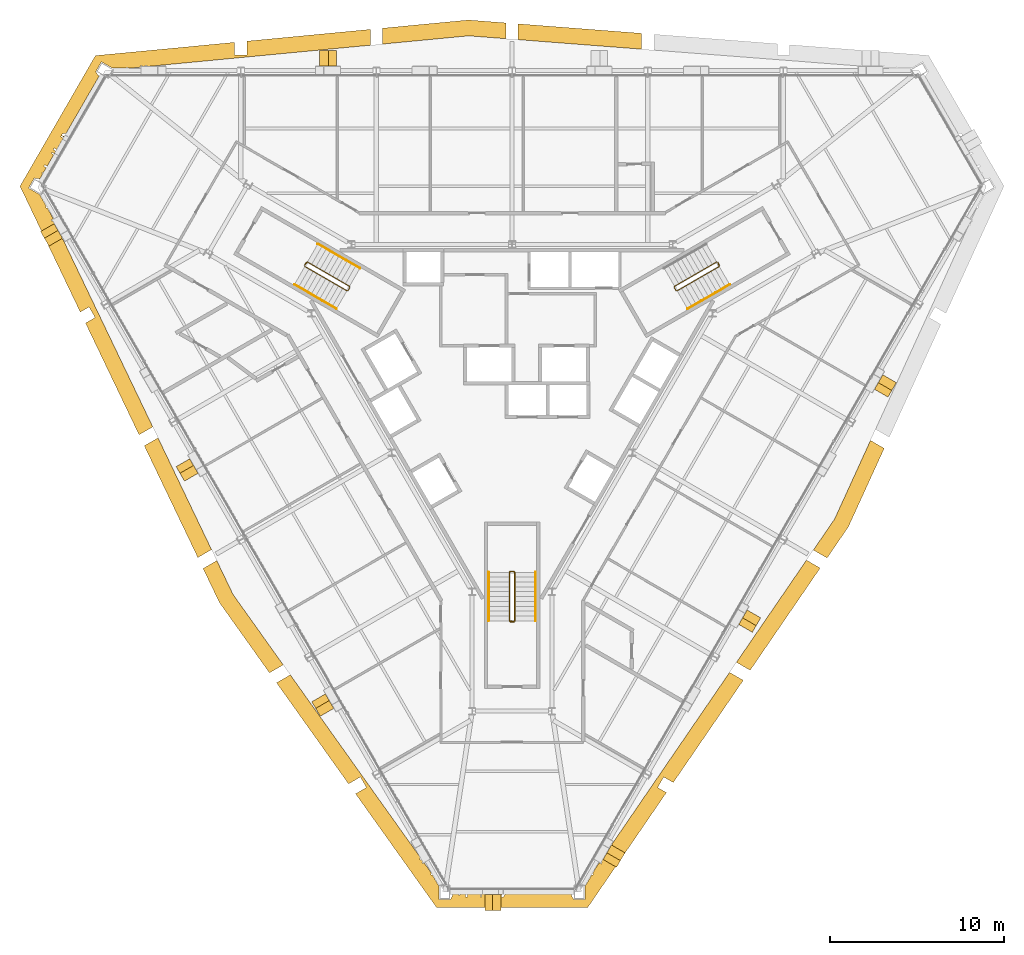
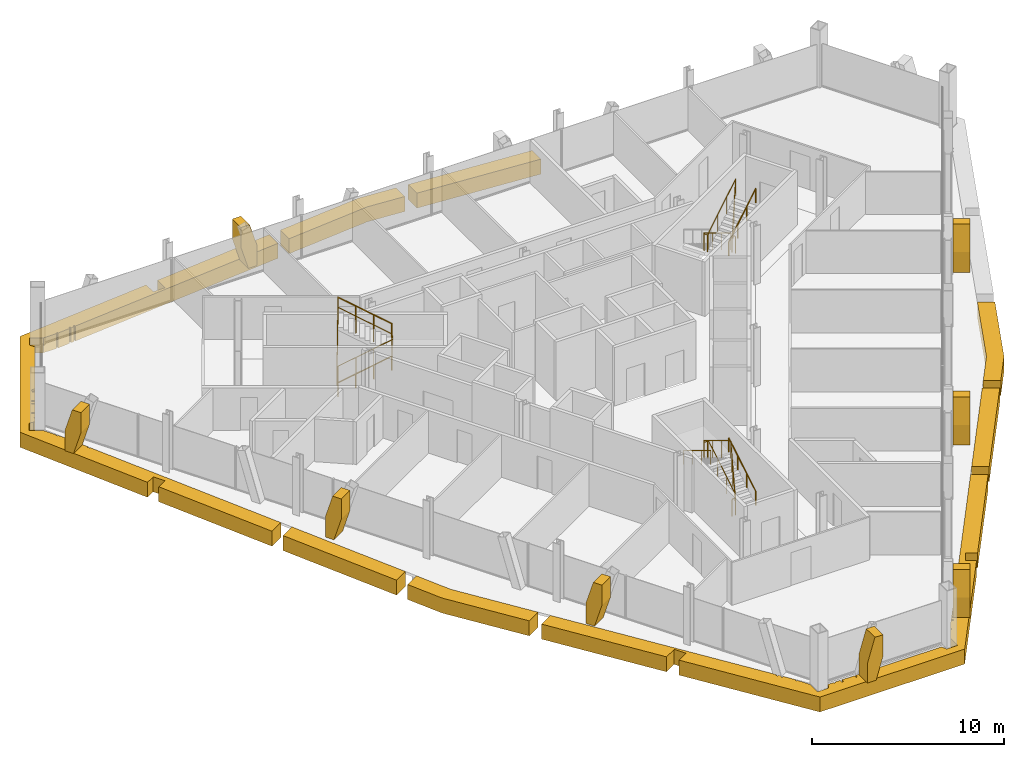
# One storey, part 16 of 17: 16 coverings, 8 railings.
"""IFC4 building model written with IfcOpenShell, lengths in metres."""

from ifc_helpers import new_model, si_unit, direction, frame, origin, origin_2d, place, context, subcontext, project, spatial, polyline, circle, outline, extrude, material, layer, layer_set, type_object, element, save


model = new_model("IFC4")

# Units and contexts
model_context = context("Model", 3, precision=1e-05, world=origin(), true_north=direction((0.0, 1.0)))
body_context = subcontext(model_context, "Body", "Model", "MODEL_VIEW")
ifc_project = project(units=[si_unit("LENGTHUNIT", "METRE"), si_unit("AREAUNIT", "SQUARE_METRE"), si_unit("VOLUMEUNIT", "CUBIC_METRE"), si_unit("PLANEANGLEUNIT", "RADIAN"), si_unit("MASSUNIT", "GRAM", prefix="KILO")], contexts=[model_context])

# Site, building, storey
site_placement = place(None, origin())
site = spatial("IfcSite", under=ifc_project, at=site_placement, CompositionType="ELEMENT")
building_placement = place(site_placement, origin())
building = spatial("IfcBuilding", under=site, at=building_placement, Name="Verrane Prism Tower", CompositionType="ELEMENT")
storey_placement = place(building_placement, frame((0.0, 0.0, 182.10009765625)))
storey = spatial("IfcBuildingStorey", under=building, at=storey_placement, Name="L45", CompositionType="ELEMENT", Elevation=182.10009765625)

# Railings
ifc_material_1 = material(Name="Steel A36 rail and posts, no infill", Category="steel")
railing_type_1 = type_object("IfcRailingType", Name="Stair guard 1100 steel rail and posts", PredefinedType="GUARDRAIL", material=ifc_material_1)
railing_1_placement = place(storey_placement, frame((11.78955078125, 6.97998046875, 0.16796875)))
element("IfcRailing", 1, at=railing_1_placement, inside=storey, type_object=railing_type_1, Name="Stair 1 guard", PredefinedType="GUARDRAIL", context=body_context, shape_type="SweptSolid", body=[
    extrude(circle(Radius=0.02392578125, at=origin_2d()), frame((0.0, 0.0, 1.076171875), z_axis=(-0.742366697286, -0.42866220388, 0.514917859203), x_axis=(0.500049511043, -0.865996816683, 0.0)), (0.0, 0.0, 1.0), 3.266357421875),
    extrude(circle(Radius=0.02392578125, at=origin_2d()), frame((-2.4248046875, -1.400146484375, 2.7578125), z_axis=(-0.259601060869, -0.965715946433, 0.0), x_axis=(0.965715946433, -0.259601060869, 0.0)), (0.0, 0.0, 1.0), 0.070556640625),
    extrude(circle(Radius=0.02392578125, at=origin_2d()), frame((-2.443115234375, -1.46826171875, 2.7578125), z_axis=(0.499158860599, -0.866510491504, 0.0), x_axis=(0.866510491504, 0.499158860599, 0.0)), (0.0, 0.0, 1.0), 0.199951171875),
    extrude(circle(Radius=0.02392578125, at=origin_2d()), frame((-2.34326171875, -1.6416015625, 2.7578125), z_axis=(0.374585375571, -0.100335368456, 0.921747584887), x_axis=(0.258736085224, 0.965948051503, 0.0)), (0.0, 0.0, 1.0), 0.182373046875),
    extrude(circle(Radius=0.02392578125, at=origin_2d()), frame((-2.27490234375, -1.659912109375, 2.92626953125), z_axis=(0.742366697286, 0.42866220388, 0.514917859203), x_axis=(-0.500049511043, 0.865996816683, 0.0)), (0.0, 0.0, 1.0), 3.266357421875),
    extrude(circle(Radius=0.02392578125, at=origin_2d()), frame((0.14990234375, -0.259765625, 4.60791015625), z_axis=(-0.021986835041, 0.065104730107, -0.997636182785), x_axis=(-0.947430582667, -0.3199613899, 0.0)), (0.0, 0.0, 1.0), 3.708740234375),
    extrude(circle(Radius=0.02392578125, at=origin_2d()), frame((0.068359375, -0.018310546875, 0.908203125), z_axis=(0.499158860599, -0.866510491504, 0.0), x_axis=(0.866510491504, 0.499158860599, 0.0)), (0.0, 0.0, 1.0), 0.199951171875),
    extrude(circle(Radius=0.02099609375, at=origin_2d()), origin(), (0.0, 0.0, 1.0), 1.052001953125),
    extrude(circle(Radius=0.02099609375, at=origin_2d()), frame((-0.808349609375, -0.466796875, 0.560546875)), (0.0, 0.0, 1.0), 1.052001953125),
    extrude(circle(Radius=0.02099609375, at=origin_2d()), frame((-1.616455078125, -0.933349609375, 1.121337890625)), (0.0, 0.0, 1.0), 1.052001953125),
    extrude(circle(Radius=0.02099609375, at=origin_2d()), frame((-2.4248046875, -1.400146484375, 1.681884765625)), (0.0, 0.0, 1.0), 1.052001953125),
    extrude(circle(Radius=0.02099609375, at=origin_2d()), frame((-2.443115234375, -1.46826171875, 1.681884765625)), (0.0, 0.0, 1.0), 1.052001953125),
    extrude(circle(Radius=0.02099609375, at=origin_2d()), frame((-2.34326171875, -1.6416015625, 1.681884765625)), (0.0, 0.0, 1.0), 1.052001953125),
    extrude(circle(Radius=0.02099609375, at=origin_2d()), frame((-2.27490234375, -1.659912109375, 1.85009765625)), (0.0, 0.0, 1.0), 1.052001953125),
    extrude(circle(Radius=0.02099609375, at=origin_2d()), frame((-1.466552734375, -1.193115234375, 2.41064453125)), (0.0, 0.0, 1.0), 1.052001953125),
    extrude(circle(Radius=0.02099609375, at=origin_2d()), frame((-0.658447265625, -0.7265625, 2.971435546875)), (0.0, 0.0, 1.0), 1.052001953125),
    extrude(circle(Radius=0.02099609375, at=origin_2d()), frame((0.14990234375, -0.259765625, 3.531982421875)), (0.0, 0.0, 1.0), 1.052001953125),
    extrude(circle(Radius=0.02099609375, at=origin_2d()), frame((0.12939453125, -0.199462890625, 2.60693359375)), (0.0, 0.0, 1.0), 1.052001953125),
    extrude(circle(Radius=0.02099609375, at=origin_2d()), frame((0.109130859375, -0.13916015625, 1.68212890625)), (0.0, 0.0, 1.0), 1.052001953125),
    extrude(circle(Radius=0.02099609375, at=origin_2d()), frame((0.0888671875, -0.07861328125, 0.757080078125)), (0.0, 0.0, 1.0), 1.052001953125),
    extrude(circle(Radius=0.02099609375, at=origin_2d()), frame((0.068359375, -0.018310546875, -0.16796875)), (0.0, 0.0, 1.0), 1.052001953125),
    extrude(circle(Radius=0.02099609375, at=origin_2d()), frame((0.168212890625, -0.191650390625, -0.16796875)), (0.0, 0.0, 1.0), 1.052001953125),
])
railing_2_placement = place(storey_placement, frame((-11.939453125, 6.72021484375, 0.16796875)))
element("IfcRailing", 2, at=railing_2_placement, inside=storey, type_object=railing_type_1, Name="Stair 2 guard", PredefinedType="GUARDRAIL", context=body_context, shape_type="SweptSolid", body=[
    extrude(circle(Radius=0.02392578125, at=origin_2d()), frame((0.0, 0.0, 1.076171875), z_axis=(0.742366697286, -0.42866220388, 0.514917859203), x_axis=(0.500049511043, 0.865996816683, 0.0)), (0.0, 0.0, 1.0), 3.266357421875),
    extrude(circle(Radius=0.02392578125, at=origin_2d()), frame((2.4248046875, -1.400146484375, 2.7578125), z_axis=(0.965948051503, 0.258736085224, 0.0), x_axis=(-0.258736085224, 0.965948051503, 0.0)), (0.0, 0.0, 1.0), 0.07080078125),
    extrude(circle(Radius=0.02392578125, at=origin_2d()), frame((2.4931640625, -1.3818359375, 2.7578125), z_axis=(0.499158860599, 0.866510491504, 0.0), x_axis=(-0.866510491504, 0.499158860599, 0.0)), (0.0, 0.0, 1.0), 0.199951171875),
    extrude(circle(Radius=0.02392578125, at=origin_2d()), frame((2.593017578125, -1.20849609375, 2.7578125), z_axis=(-0.100385596638, 0.373434419493, 0.922209014446), x_axis=(-0.965715946433, -0.259601060869, 0.0)), (0.0, 0.0, 1.0), 0.182373046875),
    extrude(circle(Radius=0.02392578125, at=origin_2d()), frame((2.57470703125, -1.140380859375, 2.92626953125), z_axis=(-0.742366697286, 0.42866220388, 0.514917859203), x_axis=(-0.500049511043, -0.865996816683, 0.0)), (0.0, 0.0, 1.0), 3.266357421875),
    extrude(circle(Radius=0.02392578125, at=origin_2d()), frame((0.14990234375, 0.259765625, 4.60791015625), z_axis=(-0.04535595117, -0.051675503147, -0.99763343973), x_axis=(0.751567565678, -0.659656118156, 0.0)), (0.0, 0.0, 1.0), 3.708740234375),
    extrude(circle(Radius=0.02392578125, at=origin_2d()), frame((-0.018310546875, 0.068115234375, 0.908203125), z_axis=(0.499158860599, 0.866510491504, 0.0), x_axis=(-0.866510491504, 0.499158860599, 0.0)), (0.0, 0.0, 1.0), 0.199951171875),
    extrude(circle(Radius=0.02099609375, at=origin_2d()), origin(), (0.0, 0.0, 1.0), 1.052001953125),
    extrude(circle(Radius=0.02099609375, at=origin_2d()), frame((0.808349609375, -0.466796875, 0.560546875)), (0.0, 0.0, 1.0), 1.052001953125),
    extrude(circle(Radius=0.02099609375, at=origin_2d()), frame((1.616455078125, -0.933349609375, 1.121337890625)), (0.0, 0.0, 1.0), 1.052001953125),
    extrude(circle(Radius=0.02099609375, at=origin_2d()), frame((2.4248046875, -1.400146484375, 1.681884765625)), (0.0, 0.0, 1.0), 1.052001953125),
    extrude(circle(Radius=0.02099609375, at=origin_2d()), frame((2.4931640625, -1.3818359375, 1.681884765625)), (0.0, 0.0, 1.0), 1.052001953125),
    extrude(circle(Radius=0.02099609375, at=origin_2d()), frame((2.593017578125, -1.20849609375, 1.681884765625)), (0.0, 0.0, 1.0), 1.052001953125),
    extrude(circle(Radius=0.02099609375, at=origin_2d()), frame((2.57470703125, -1.140380859375, 1.85009765625)), (0.0, 0.0, 1.0), 1.052001953125),
    extrude(circle(Radius=0.02099609375, at=origin_2d()), frame((1.766357421875, -0.673583984375, 2.41064453125)), (0.0, 0.0, 1.0), 1.052001953125),
    extrude(circle(Radius=0.02099609375, at=origin_2d()), frame((0.958251953125, -0.20703125, 2.971435546875)), (0.0, 0.0, 1.0), 1.052001953125),
    extrude(circle(Radius=0.02099609375, at=origin_2d()), frame((0.14990234375, 0.259765625, 3.531982421875)), (0.0, 0.0, 1.0), 1.052001953125),
    extrude(circle(Radius=0.02099609375, at=origin_2d()), frame((0.10791015625, 0.2119140625, 2.60693359375)), (0.0, 0.0, 1.0), 1.052001953125),
    extrude(circle(Radius=0.02099609375, at=origin_2d()), frame((0.06591796875, 0.1640625, 1.68212890625)), (0.0, 0.0, 1.0), 1.052001953125),
    extrude(circle(Radius=0.02099609375, at=origin_2d()), frame((0.023681640625, 0.115966796875, 0.757080078125)), (0.0, 0.0, 1.0), 1.052001953125),
    extrude(circle(Radius=0.02099609375, at=origin_2d()), frame((-0.018310546875, 0.068115234375, -0.16796875)), (0.0, 0.0, 1.0), 1.052001953125),
    extrude(circle(Radius=0.02099609375, at=origin_2d()), frame((0.08154296875, 0.241455078125, -0.16796875)), (0.0, 0.0, 1.0), 1.052001953125),
])
railing_3_placement = place(storey_placement, frame((0.14990234375, -13.699951171875, 0.16796875)))
element("IfcRailing", 3, at=railing_3_placement, inside=storey, type_object=railing_type_1, Name="Stair 3 guard", PredefinedType="GUARDRAIL", context=body_context, shape_type="SweptSolid", body=[
    extrude(circle(Radius=0.02392578125, at=origin_2d()), frame((0.0, 0.0, 1.076171875), z_axis=(0.0, 0.857242210791, 0.514913383045), x_axis=(-1.0, 0.0, 0.0)), (0.0, 0.0, 1.0), 3.266357421875),
    extrude(circle(Radius=0.02392578125, at=origin_2d()), frame((0.0, 2.800048828125, 2.7578125), z_axis=(-0.707106781187, 0.707106781187, 0.0), x_axis=(-0.707106781187, -0.707106781187, 0.0)), (0.0, 0.0, 1.0), 0.0703125),
    extrude(circle(Radius=0.02392578125, at=origin_2d()), frame((-0.0498046875, 2.849853515625, 2.7578125), z_axis=(-1.0, 0.0, 0.0), x_axis=(0.0, -1.0, 0.0)), (0.0, 0.0, 1.0), 0.2001953125),
    extrude(circle(Radius=0.02392578125, at=origin_2d()), frame((-0.25, 2.849853515625, 2.7578125), z_axis=(-0.273106073848, -0.273106073848, 0.922402376869), x_axis=(0.707106781187, -0.707106781187, 0.0)), (0.0, 0.0, 1.0), 0.182373046875),
    extrude(circle(Radius=0.02392578125, at=origin_2d()), frame((-0.2998046875, 2.800048828125, 2.92626953125), z_axis=(0.0, -0.857242210791, 0.514913383045), x_axis=(1.0, 0.0, 0.0)), (0.0, 0.0, 1.0), 3.266357421875),
    extrude(circle(Radius=0.02392578125, at=origin_2d()), frame((-0.2998046875, 0.0, 4.60791015625), z_axis=(0.067408604812, -0.013494886706, -0.997634185476), x_axis=(0.196300278283, 0.98054382908, 0.0)), (0.0, 0.0, 1.0), 3.708740234375),
    extrude(circle(Radius=0.02392578125, at=origin_2d()), frame((-0.0498046875, -0.050048828125, 0.908203125), z_axis=(-1.0, 0.0, 0.0), x_axis=(0.0, -1.0, 0.0)), (0.0, 0.0, 1.0), 0.2001953125),
    extrude(circle(Radius=0.02099609375, at=origin_2d()), origin(), (0.0, 0.0, 1.0), 1.052001953125),
    extrude(circle(Radius=0.02099609375, at=origin_2d()), frame((0.0, 0.933349609375, 0.560546875)), (0.0, 0.0, 1.0), 1.052001953125),
    extrude(circle(Radius=0.02099609375, at=origin_2d()), frame((0.0, 1.86669921875, 1.121337890625)), (0.0, 0.0, 1.0), 1.052001953125),
    extrude(circle(Radius=0.02099609375, at=origin_2d()), frame((0.0, 2.800048828125, 1.681884765625)), (0.0, 0.0, 1.0), 1.052001953125),
    extrude(circle(Radius=0.02099609375, at=origin_2d()), frame((-0.0498046875, 2.849853515625, 1.681884765625)), (0.0, 0.0, 1.0), 1.052001953125),
    extrude(circle(Radius=0.02099609375, at=origin_2d()), frame((-0.25, 2.849853515625, 1.681884765625)), (0.0, 0.0, 1.0), 1.052001953125),
    extrude(circle(Radius=0.02099609375, at=origin_2d()), frame((-0.2998046875, 2.800048828125, 1.85009765625)), (0.0, 0.0, 1.0), 1.052001953125),
    extrude(circle(Radius=0.02099609375, at=origin_2d()), frame((-0.2998046875, 1.86669921875, 2.41064453125)), (0.0, 0.0, 1.0), 1.052001953125),
    extrude(circle(Radius=0.02099609375, at=origin_2d()), frame((-0.2998046875, 0.933349609375, 2.971435546875)), (0.0, 0.0, 1.0), 1.052001953125),
    extrude(circle(Radius=0.02099609375, at=origin_2d()), frame((-0.2998046875, 0.0, 3.531982421875)), (0.0, 0.0, 1.0), 1.052001953125),
    extrude(circle(Radius=0.02099609375, at=origin_2d()), frame((-0.2373046875, -0.012451171875, 2.60693359375)), (0.0, 0.0, 1.0), 1.052001953125),
    extrude(circle(Radius=0.02099609375, at=origin_2d()), frame((-0.1748046875, -0.02490234375, 1.68212890625)), (0.0, 0.0, 1.0), 1.052001953125),
    extrude(circle(Radius=0.02099609375, at=origin_2d()), frame((-0.1123046875, -0.03759765625, 0.757080078125)), (0.0, 0.0, 1.0), 1.052001953125),
    extrude(circle(Radius=0.02099609375, at=origin_2d()), frame((-0.0498046875, -0.050048828125, -0.16796875)), (0.0, 0.0, 1.0), 1.052001953125),
    extrude(circle(Radius=0.02099609375, at=origin_2d()), frame((-0.25, -0.050048828125, -0.16796875)), (0.0, 0.0, 1.0), 1.052001953125),
])
ifc_material_2 = material(Name="Steel A36 tube", Category="steel")
railing_type_2 = type_object("IfcRailingType", Name="Stair handrail 900 steel tube", PredefinedType="HANDRAIL", material=ifc_material_2)
railing_4_placement = place(storey_placement, frame((10.11474609375, 4.28076171875, 2.01806640625)))
element("IfcRailing", 4, at=railing_4_placement, inside=storey, type_object=railing_type_2, Name="Stair 1 handrail", PredefinedType="HANDRAIL", context=body_context, shape_type="SweptSolid", body=[
    extrude(circle(Radius=0.02392578125, at=origin_2d()), frame((0.0, 0.0, 0.8759765625), z_axis=(0.742366697286, 0.42866220388, 0.514917859203), x_axis=(-0.500049511043, 0.865996816683, 0.0)), (0.0, 0.0, 1.0), 3.266357421875),
    extrude(circle(Radius=0.02099609375, at=origin_2d()), origin(), (0.0, 0.0, 1.0), 0.851806640625),
    extrude(circle(Radius=0.02099609375, at=origin_2d()), frame((0.808349609375, 0.466796875, 0.560546875)), (0.0, 0.0, 1.0), 0.851806640625),
    extrude(circle(Radius=0.02099609375, at=origin_2d()), frame((1.616455078125, 0.933349609375, 1.121337890625)), (0.0, 0.0, 1.0), 0.851806640625),
    extrude(circle(Radius=0.02099609375, at=origin_2d()), frame((2.4248046875, 1.400146484375, 1.681884765625)), (0.0, 0.0, 1.0), 0.851806640625),
])
railing_5_placement = place(storey_placement, frame((-12.53955078125, 5.680908203125, 0.16796875)))
element("IfcRailing", 5, at=railing_5_placement, inside=storey, type_object=railing_type_2, Name="Stair 2 handrail", PredefinedType="HANDRAIL", context=body_context, shape_type="SweptSolid", body=[
    extrude(circle(Radius=0.02392578125, at=origin_2d()), frame((0.0, 0.0, 0.8759765625), z_axis=(0.742366697286, -0.42866220388, 0.514917859203), x_axis=(0.500049511043, 0.865996816683, 0.0)), (0.0, 0.0, 1.0), 3.266357421875),
    extrude(circle(Radius=0.02099609375, at=origin_2d()), origin(), (0.0, 0.0, 1.0), 0.851806640625),
    extrude(circle(Radius=0.02099609375, at=origin_2d()), frame((0.808349609375, -0.466796875, 0.560546875)), (0.0, 0.0, 1.0), 0.851806640625),
    extrude(circle(Radius=0.02099609375, at=origin_2d()), frame((1.616455078125, -0.933349609375, 1.121337890625)), (0.0, 0.0, 1.0), 0.851806640625),
    extrude(circle(Radius=0.02099609375, at=origin_2d()), frame((2.4248046875, -1.400146484375, 1.681884765625)), (0.0, 0.0, 1.0), 0.851806640625),
])
railing_6_placement = place(storey_placement, frame((-8.7646484375, 6.619140625, 2.01806640625)))
element("IfcRailing", 6, at=railing_6_placement, inside=storey, type_object=railing_type_2, Name="Stair 2 handrail", PredefinedType="HANDRAIL", context=body_context, shape_type="SweptSolid", body=[
    extrude(circle(Radius=0.02392578125, at=origin_2d()), frame((0.0, 0.0, 0.8759765625), z_axis=(-0.742390482028, 0.42860119049, 0.514934356695), x_axis=(-0.49998411664, -0.866034573852, 0.0)), (0.0, 0.0, 1.0), 3.26611328125),
    extrude(circle(Radius=0.02099609375, at=origin_2d()), origin(), (0.0, 0.0, 1.0), 0.851806640625),
    extrude(circle(Radius=0.02099609375, at=origin_2d()), frame((-0.808349609375, 0.466552734375, 0.560546875)), (0.0, 0.0, 1.0), 0.851806640625),
    extrude(circle(Radius=0.02099609375, at=origin_2d()), frame((-1.616455078125, 0.933349609375, 1.121337890625)), (0.0, 0.0, 1.0), 0.851806640625),
    extrude(circle(Radius=0.02099609375, at=origin_2d()), frame((-2.4248046875, 1.39990234375, 1.681884765625)), (0.0, 0.0, 1.0), 0.851806640625),
])
railing_7_placement = place(storey_placement, frame((1.35009765625, -13.699951171875, 0.16796875)))
element("IfcRailing", 7, at=railing_7_placement, inside=storey, type_object=railing_type_2, Name="Stair 3 handrail", PredefinedType="HANDRAIL", context=body_context, shape_type="SweptSolid", body=[
    extrude(circle(Radius=0.02392578125, at=origin_2d()), frame((0.0, 0.0, 0.8759765625), z_axis=(0.0, 0.857242210791, 0.514913383045), x_axis=(-1.0, 0.0, 0.0)), (0.0, 0.0, 1.0), 3.266357421875),
    extrude(circle(Radius=0.02099609375, at=origin_2d()), origin(), (0.0, 0.0, 1.0), 0.851806640625),
    extrude(circle(Radius=0.02099609375, at=origin_2d()), frame((0.0, 0.933349609375, 0.560546875)), (0.0, 0.0, 1.0), 0.851806640625),
    extrude(circle(Radius=0.02099609375, at=origin_2d()), frame((0.0, 1.86669921875, 1.121337890625)), (0.0, 0.0, 1.0), 0.851806640625),
    extrude(circle(Radius=0.02099609375, at=origin_2d()), frame((0.0, 2.800048828125, 1.681884765625)), (0.0, 0.0, 1.0), 0.851806640625),
])
railing_8_placement = place(storey_placement, frame((-1.35009765625, -10.89990234375, 2.01806640625)))
element("IfcRailing", 8, at=railing_8_placement, inside=storey, type_object=railing_type_2, Name="Stair 3 handrail", PredefinedType="HANDRAIL", context=body_context, shape_type="SweptSolid", body=[
    extrude(circle(Radius=0.02392578125, at=origin_2d()), frame((0.0, 0.0, 0.8759765625), z_axis=(0.0, -0.857242210791, 0.514913383045), x_axis=(1.0, 0.0, 0.0)), (0.0, 0.0, 1.0), 3.266357421875),
    extrude(circle(Radius=0.02099609375, at=origin_2d()), origin(), (0.0, 0.0, 1.0), 0.851806640625),
    extrude(circle(Radius=0.02099609375, at=origin_2d()), frame((0.0, -0.933349609375, 0.560546875)), (0.0, 0.0, 1.0), 0.851806640625),
    extrude(circle(Radius=0.02099609375, at=origin_2d()), frame((0.0, -1.86669921875, 1.121337890625)), (0.0, 0.0, 1.0), 0.851806640625),
    extrude(circle(Radius=0.02099609375, at=origin_2d()), frame((0.0, -2.800048828125, 1.681884765625)), (0.0, 0.0, 1.0), 0.851806640625),
])

# Coverings
ifc_material_3 = material(Name="Warm limestone cladding", Category="masonry")
ifc_layer_1 = layer(ifc_material_3, 0.89990234375)
ifc_layer_set_1 = layer_set([ifc_layer_1], Name="Stone brace fin 900")
covering_type_1 = type_object("IfcCoveringType", Name="Stone brace fin 900", PredefinedType="CLADDING", material=ifc_layer_set_1)
covering_1_placement = place(storey_placement, frame((-10.12744140625, 18.714111328125, 0.0), z_axis=(0.0, 0.0, 1.0), x_axis=(-1.0, 0.0, 0.0)))
element("IfcCovering", 9, at=covering_1_placement, inside=storey, type_object=covering_type_1, Name="Stone brace fin N5 L45", PredefinedType="CLADDING", context=body_context, shape_type="SweptSolid", body=[
    extrude(outline(polyline([(0.9638671875, 2.75), (0.4423828125, 2.75), (0.0, 1.283203125), (0.0, 0.0), (0.517578125, 0.0), (0.9638671875, 1.4794921875), (0.9638671875, 2.75)])), frame((0.0, 0.449951171875, 0.0), z_axis=(0.0, -1.0, 0.0), x_axis=(1.0, 0.0, 0.0)), (0.0, 0.0, 1.0), 0.89990234375),
])
covering_2_placement = place(storey_placement, frame((-26.7744140625, 8.957763671875, 0.0), z_axis=(0.0, 0.0, 1.0), x_axis=(0.500058339205, -0.865991719008, 0.0)))
element("IfcCovering", 10, at=covering_2_placement, inside=storey, type_object=covering_type_1, Name="Stone brace fin SW1 L45", PredefinedType="CLADDING", context=body_context, shape_type="SweptSolid", body=[
    extrude(outline(polyline([(0.96484375, 2.75), (0.442626953125, 2.75), (0.0, 1.283203125), (0.0, 0.0), (0.518310546875, 0.0), (0.96484375, 1.4794921875), (0.96484375, 2.75)])), frame((0.0, 0.449951171875, 0.0), z_axis=(0.0, -1.0, 0.0), x_axis=(1.0, 0.0, 0.0)), (0.0, 0.0, 1.0), 0.89990234375),
])
covering_3_placement = place(storey_placement, frame((-18.964599609375, -4.584716796875, 0.0), z_axis=(0.0, 0.0, 1.0), x_axis=(0.499510892703, -0.866307605918, 0.0)))
element("IfcCovering", 11, at=covering_3_placement, inside=storey, type_object=covering_type_1, Name="Stone brace fin SW3 L45", PredefinedType="CLADDING", context=body_context, shape_type="SweptSolid", body=[
    extrude(outline(polyline([(0.9658203125, 2.75), (0.443115234375, 2.75), (0.0, 1.283203125), (0.0, 0.0), (0.518798828125, 0.0), (0.9658203125, 1.4794921875), (0.9658203125, 2.75)])), frame((0.0, 0.449951171875, 0.0), z_axis=(0.0, -1.0, 0.0), x_axis=(1.0, 0.0, 0.0)), (0.0, 0.0, 1.0), 0.89990234375),
])
for number, where, z_axis, x_axis, name in (
    (12, (-11.144287109375, -18.132080078125, 0.0), (0.0, 0.0, 1.0), (0.499948769917, -0.866054979466, 0.0), "Stone brace fin SW5 L45"),
    (13, (5.634765625, -27.672119140625, 0.0), (0.0, 0.0, 1.0), (0.499948769917, 0.866054979466, 0.0), "Stone brace fin SE1 L45"),
    (14, (13.454833984375, -14.132080078125, 0.0), (0.0, 0.0, 1.0), (0.499948769917, 0.866054979466, 0.0), "Stone brace fin SE3 L45"),
):
    element("IfcCovering", number, at=place(storey_placement, frame(where, z_axis=z_axis, x_axis=x_axis)), inside=storey, type_object=covering_type_1, Name=name, PredefinedType="CLADDING", context=body_context, shape_type="SweptSolid", body=[
        extrude(outline(polyline([(0.96484375, 2.75), (0.442626953125, 2.75), (0.0, 1.283203125), (0.0, 0.0), (0.518310546875, 0.0), (0.96484375, 1.4794921875), (0.96484375, 2.75)])), frame((0.0, 0.449951171875, 0.0), z_axis=(0.0, -1.0, 0.0), x_axis=(1.0, 0.0, 0.0)), (0.0, 0.0, 1.0), 0.89990234375),
    ])
covering_4_placement = place(storey_placement, frame((21.272216796875, -0.581298828125, 0.0), z_axis=(0.0, 0.0, 1.0), x_axis=(0.499108514853, 0.866539491541, 0.0)))
element("IfcCovering", 15, at=covering_4_placement, inside=storey, type_object=covering_type_1, Name="Stone brace fin SE5 L45", PredefinedType="CLADDING", context=body_context, shape_type="SweptSolid", body=[
    extrude(outline(polyline([(0.964111328125, 2.75), (0.4423828125, 2.75), (0.0, 1.283203125), (0.0, 0.0), (0.517822265625, 0.0), (0.964111328125, 1.4794921875), (0.964111328125, 2.75)])), frame((0.0, 0.449951171875, 0.0), z_axis=(0.0, -1.0, 0.0), x_axis=(1.0, 0.0, 0.0)), (0.0, 0.0, 1.0), 0.89990234375),
])
covering_5_placement = place(storey_placement, frame((-1.570068359375, -29.92236328125, 0.0), z_axis=(0.0, 0.0, 1.0), x_axis=(1.0, 0.0, 0.0)))
element("IfcCovering", 16, at=covering_5_placement, inside=storey, type_object=covering_type_1, Name="Stone brace fin S1 L45", PredefinedType="CLADDING", context=body_context, shape_type="SweptSolid", body=[
    extrude(outline(polyline([(0.9287109375, 2.75), (0.446044921875, 2.75), (0.0, 1.25732421875), (0.0, 0.0), (0.520751953125, 0.0), (0.9287109375, 1.365478515625), (0.9287109375, 2.75)])), frame((0.0, 0.449951171875, 0.0), z_axis=(0.0, -1.0, 0.0), x_axis=(1.0, 0.0, 0.0)), (0.0, 0.0, 1.0), 0.89990234375),
])
ifc_material_4 = material(Name="Warm limestone cladding", Category="masonry")
ifc_layer_2 = layer(ifc_material_4, 0.449951171875)
ifc_layer_set_2 = layer_set([ifc_layer_2], Name="Stone spandrel band 450")
covering_type_2 = type_object("IfcCoveringType", Name="Stone spandrel band 450", PredefinedType="CLADDING", material=ifc_layer_set_2)
covering_6_placement = place(storey_placement, frame((0.0, 0.0, -0.9501953125)))
element("IfcCovering", 17, at=covering_6_placement, inside=storey, type_object=covering_type_2, Name="Stone spandrel band L45 part 1", PredefinedType="CLADDING", context=body_context, shape_type="SweptSolid", body=[
    extrude(outline(polyline([(4.3505859375, -30.22509765625), (8.893310546875, -23.59228515625), (8.3876953125, -23.30029296875), (8.737548828125, -22.694091796875), (9.2900390625, -23.012939453125), (13.32373046875, -17.123291015625), (12.533447265625, -16.6669921875), (5.751953125, -26.568603515625), (5.77001953125, -26.614501953125), (5.747802734375, -26.623046875), (5.767578125, -26.634521484375), (5.7177734375, -26.720703125), (5.667724609375, -26.691650390625), (5.2314453125, -27.32861328125), (5.332763671875, -27.38720703125), (5.284912109375, -27.469970703125), (5.177490234375, -27.40771484375), (5.08203125, -27.547119140625), (5.190185546875, -27.62939453125), (5.1328125, -27.70458984375), (5.028564453125, -27.625), (4.851806640625, -27.88330078125), (4.640869140625, -28.248291015625), (4.6904296875, -28.285888671875), (4.635498046875, -28.358154296875), (4.59521484375, -28.327392578125), (4.199951171875, -29.01220703125), (4.199951171875, -29.75), (3.5400390625, -29.75), (3.5400390625, -29.727783203125), (3.431884765625, -29.535888671875), (3.431884765625, -29.448486328125), (-0.388671875, -29.448486328125), (-0.526611328125, -29.64111328125), (-0.63427734375, -29.56396484375), (-0.5517578125, -29.448486328125), (-0.641357421875, -29.448486328125), (-0.641357421875, -29.6201171875), (-0.705810546875, -29.6201171875), (-0.705810546875, -29.448486328125), (-1.4677734375, -29.448486328125), (-1.4677734375, -29.6201171875), (-1.570068359375, -29.6201171875), (-1.570068359375, -29.448486328125), (-1.7470703125, -29.448486328125), (-1.7470703125, -29.6201171875), (-1.811279296875, -29.6201171875), (-1.811279296875, -29.448486328125), (-2.573486328125, -29.448486328125), (-2.573486328125, -29.6201171875), (-2.67578125, -29.6201171875), (-2.67578125, -29.448486328125), (-2.969482421875, -29.448486328125), (-3.047607421875, -29.51611328125), (-3.0888671875, -29.468505859375), (-3.06591796875, -29.448486328125), (-3.431884765625, -29.448486328125), (-3.431884765625, -29.535888671875), (-3.5400390625, -29.727783203125), (-3.5400390625, -29.75), (-4.199951171875, -29.75), (-4.199951171875, -29.01220703125), (-4.59521484375, -28.327392578125), (-4.635498046875, -28.358154296875), (-4.6904296875, -28.285888671875), (-4.640869140625, -28.248291015625), (-4.684814453125, -28.172119140625), (-5.058349609375, -27.647705078125), (-5.1328125, -27.70458984375), (-5.190185546875, -27.62939453125), (-5.113037109375, -27.57080078125), (-5.214111328125, -27.428955078125), (-5.284912109375, -27.469970703125), (-5.332763671875, -27.38720703125), (-5.269775390625, -27.350830078125), (-12.777099609375, -16.807861328125), (-13.568603515625, -17.2646484375), (-9.42138671875, -23.0888671875), (-8.737548828125, -22.694091796875), (-8.3876953125, -23.30029296875), (-9.013671875, -23.66162109375), (-4.340087890625, -30.22509765625), (4.3505859375, -30.22509765625)])), origin(), (0.0, 0.0, 1.0), 0.9501953125),
])
covering_7_placement = place(storey_placement, frame((0.0, 0.0, -0.9501953125)))
element("IfcCovering", 18, at=covering_7_placement, inside=storey, type_object=covering_type_2, Name="Stone spandrel band L45 part 3", PredefinedType="CLADDING", context=body_context, shape_type="SweptSolid", body=[
    extrude(outline(polyline([(-25.77978515625, 14.2451171875), (-25.91357421875, 14.2314453125), (-25.9267578125, 14.36328125), (-25.6982421875, 14.38671875), (-23.787109375, 17.69677734375), (-23.8603515625, 17.739013671875), (-23.968505859375, 17.92822265625), (-23.9873046875, 17.939208984375), (-23.657470703125, 18.5107421875), (-23.02099609375, 18.143310546875), (-22.22998046875, 18.143310546875), (-22.236083984375, 18.192138671875), (-22.145751953125, 18.20361328125), (-22.13818359375, 18.143310546875), (-22.055419921875, 18.143310546875), (-21.40771484375, 18.205078125), (-21.419189453125, 18.295654296875), (-21.3251953125, 18.3076171875), (-21.3134765625, 18.214111328125), (-21.1396484375, 18.230712890625), (-21.1396484375, 18.31005859375), (-21.044189453125, 18.31005859375), (-21.044189453125, 18.239990234375), (-8.16748046875, 19.468994140625), (-8.16748046875, 20.383056640625), (-15.284912109375, 19.70361328125), (-15.284912109375, 18.912109375), (-15.98486328125, 18.912109375), (-15.98486328125, 19.63671875), (-24.005615234375, 18.87109375), (-28.350830078125, 11.3447265625), (-24.878173828125, 4.09423828125), (-24.37109375, 4.386962890625), (-24.02099609375, 3.78076171875), (-24.57470703125, 3.461181640625), (-21.4912109375, -2.97705078125), (-20.700927734375, -2.520751953125), (-25.8876953125, 8.30810546875), (-25.926513671875, 8.314208984375), (-25.923095703125, 8.33544921875), (-25.942138671875, 8.324462890625), (-25.99169921875, 8.410400390625), (-25.948486328125, 8.435302734375), (-26.2822265625, 9.131591796875), (-26.376708984375, 9.0771484375), (-26.424560546875, 9.159912109375), (-26.323486328125, 9.21826171875), (-26.39697265625, 9.37109375), (-26.51513671875, 9.3212890625), (-26.5517578125, 9.408447265625), (-26.437744140625, 9.45654296875), (-26.573486328125, 9.739990234375), (-26.783447265625, 10.103759765625), (-26.835205078125, 10.08203125), (-26.8701171875, 10.165771484375), (-26.829345703125, 10.18310546875), (-27.22998046875, 10.876953125), (-27.857421875, 11.2392578125), (-27.52734375, 11.810791015625), (-27.50830078125, 11.7998046875), (-27.289306640625, 11.797119140625), (-27.21728515625, 11.75537109375), (-27.035888671875, 12.0693359375), (-27.05908203125, 12.0615234375), (-27.079345703125, 12.120849609375), (-26.98828125, 12.152099609375), (-26.8388671875, 12.41064453125), (-26.982666015625, 12.493896484375), (-26.931396484375, 12.58251953125), (-26.78759765625, 12.499267578125), (-26.406982421875, 13.158935546875), (-26.550537109375, 13.241943359375), (-26.518310546875, 13.2978515625), (-26.374755859375, 13.21484375), (-26.286376953125, 13.367919921875), (-26.429931640625, 13.450927734375), (-26.378662109375, 13.53955078125), (-26.235107421875, 13.45654296875), (-25.854248046875, 14.1162109375), (-25.99755859375, 14.19921875), (-25.96533203125, 14.2548828125), (-25.822021484375, 14.172119140625), (-25.77978515625, 14.2451171875)])), origin(), (0.0, 0.0, 1.0), 0.9501953125),
])
covering_8_placement = place(storey_placement, frame((0.0, 0.0, -0.9501953125)))
element("IfcCovering", 19, at=covering_8_placement, inside=storey, type_object=covering_type_2, Name="Stone spandrel band L45 part 4", PredefinedType="CLADDING", context=body_context, shape_type="SweptSolid", body=[
    extrude(outline(polyline([(-17.31396484375, -9.592041015625), (-20.397705078125, -3.15380859375), (-21.187744140625, -3.610107421875), (-18.10400390625, -10.04833984375), (-17.31396484375, -9.592041015625)])), origin(), (0.0, 0.0, 1.0), 0.9501953125),
])
covering_9_placement = place(storey_placement, frame((0.0, 0.0, -0.9501953125)))
element("IfcCovering", 20, at=covering_9_placement, inside=storey, type_object=covering_type_2, Name="Stone spandrel band L45 part 5", PredefinedType="CLADDING", context=body_context, shape_type="SweptSolid", body=[
    extrude(outline(polyline([(-13.184814453125, -16.235107421875), (-16.078369140625, -12.17138671875), (-17.010498046875, -10.22509765625), (-17.80078125, -10.681396484375), (-16.864990234375, -12.63525390625), (-13.976318359375, -16.69189453125), (-13.184814453125, -16.235107421875)])), origin(), (0.0, 0.0, 1.0), 0.9501953125),
])
covering_10_placement = place(storey_placement, frame((0.0, 0.0, -0.9501953125)))
element("IfcCovering", 21, at=covering_10_placement, inside=storey, type_object=covering_type_2, Name="Stone spandrel band L45 part 6", PredefinedType="CLADDING", context=body_context, shape_type="SweptSolid", body=[
    extrude(outline(polyline([(17.754150390625, -10.654541015625), (16.9638671875, -10.1982421875), (12.93017578125, -16.087890625), (13.720458984375, -16.544189453125), (17.754150390625, -10.654541015625)])), origin(), (0.0, 0.0, 1.0), 0.9501953125),
])
covering_11_placement = place(storey_placement, frame((0.0, 0.0, -0.9501953125)))
element("IfcCovering", 22, at=covering_11_placement, inside=storey, type_object=covering_type_2, Name="Stone spandrel band L45 part 7", PredefinedType="CLADDING", context=body_context, shape_type="SweptSolid", body=[
    extrude(outline(polyline([(20.65234375, -3.301025390625), (18.580078125, -7.838623046875), (17.360595703125, -9.618896484375), (18.15087890625, -10.0751953125), (19.375, -8.287841796875), (21.44384765625, -3.758056640625), (20.65234375, -3.301025390625)])), origin(), (0.0, 0.0, 1.0), 0.9501953125),
])
covering_12_placement = place(storey_placement, frame((0.0, 0.0, -0.9501953125)))
element("IfcCovering", 23, at=covering_12_placement, inside=storey, type_object=covering_type_2, Name="Stone spandrel band L45 part 8", PredefinedType="CLADDING", context=body_context, shape_type="SweptSolid", body=[
    extrude(outline(polyline([(0.35009765625, 19.790283203125), (7.46728515625, 19.24169921875), (7.46728515625, 20.154296875), (0.35009765625, 20.702880859375), (0.35009765625, 19.790283203125)])), origin(), (0.0, 0.0, 1.0), 0.9501953125),
])
covering_13_placement = place(storey_placement, frame((0.0, 0.0, -0.9501953125)))
element("IfcCovering", 24, at=covering_13_placement, inside=storey, type_object=covering_type_2, Name="Stone spandrel band L45 part 9", PredefinedType="CLADDING", context=body_context, shape_type="SweptSolid", body=[
    extrude(outline(polyline([(-7.46728515625, 20.449951171875), (-7.46728515625, 19.535888671875), (-2.501708984375, 20.010009765625), (-0.35009765625, 19.84423828125), (-0.35009765625, 20.756591796875), (-2.510009765625, 20.923095703125), (-7.46728515625, 20.449951171875)])), origin(), (0.0, 0.0, 1.0), 0.9501953125),
])

save(model, "model.ifc")
